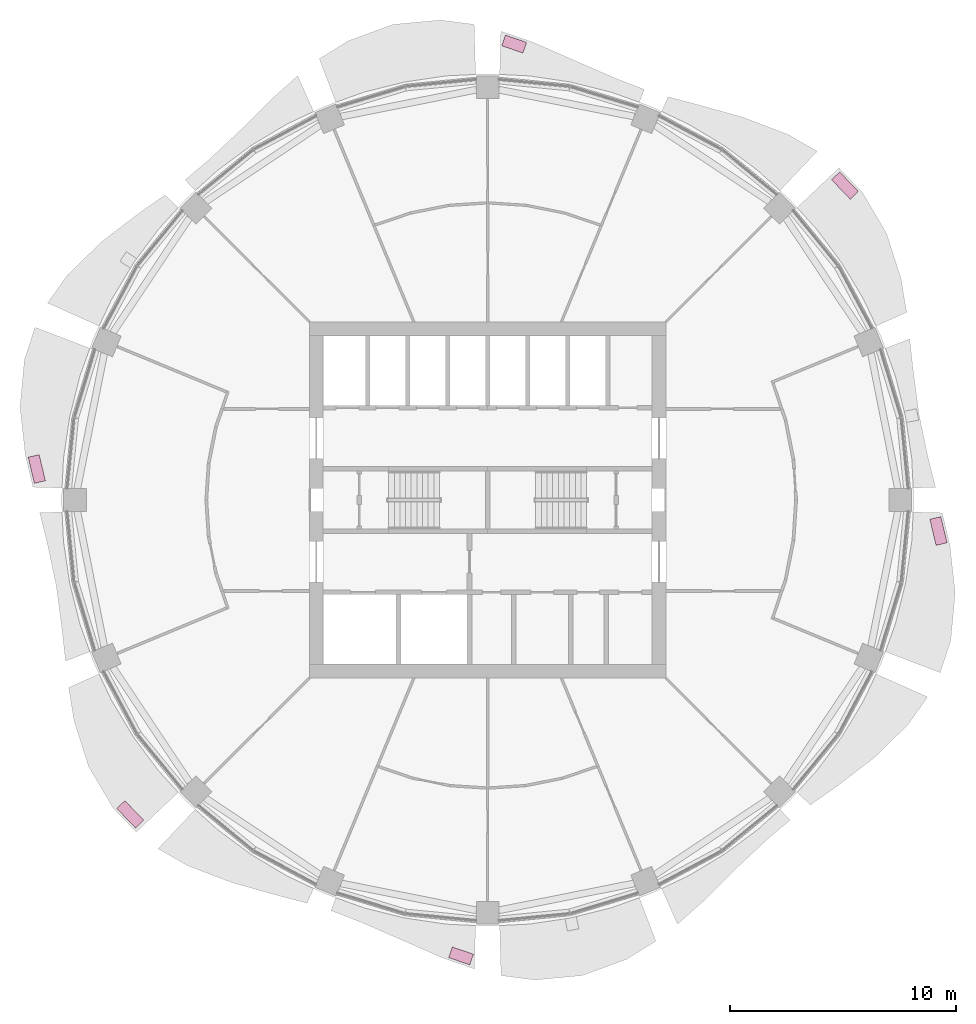
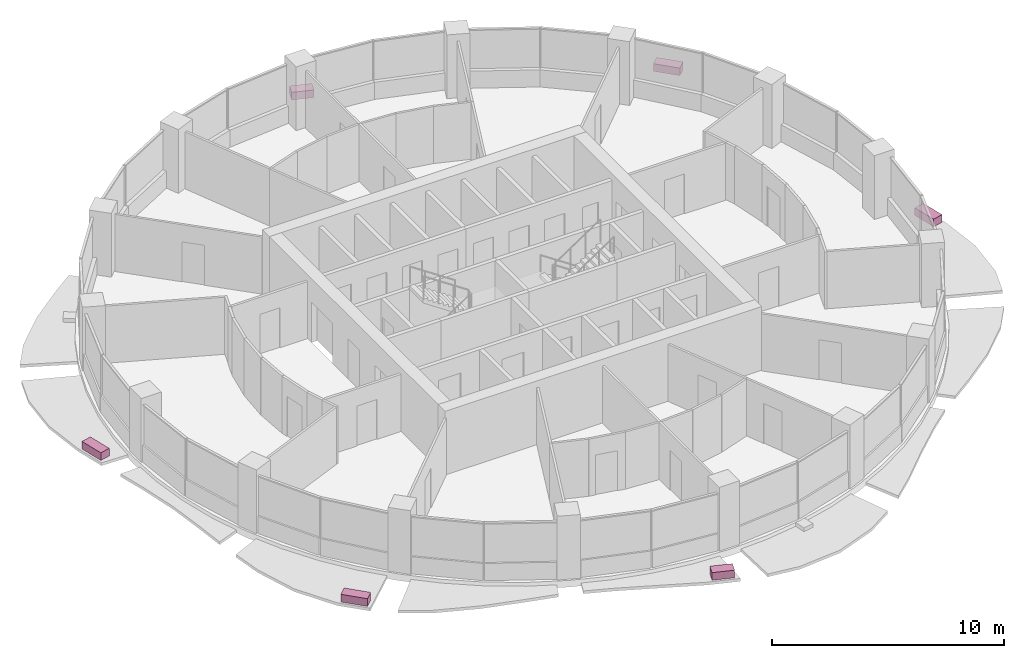
# One storey, part 15 of 15: 6 furniture elements.
"""IFC4 building model written with IfcOpenShell, lengths in metres."""

from ifc_helpers import new_model, si_unit, direction, frame, origin, origin_2d, place, context, subcontext, project, spatial, rectangle, extrude, material, type_object, element, save


model = new_model("IFC4")

# Units and contexts
model_context = context("Model", 3, precision=1e-05, world=origin(), true_north=direction((0.0, 1.0)))
body_context = subcontext(model_context, "Body", "Model", "MODEL_VIEW")
ifc_project = project(units=[si_unit("LENGTHUNIT", "METRE"), si_unit("AREAUNIT", "SQUARE_METRE"), si_unit("VOLUMEUNIT", "CUBIC_METRE"), si_unit("PLANEANGLEUNIT", "RADIAN"), si_unit("MASSUNIT", "GRAM", prefix="KILO")], contexts=[model_context])

# Site, building, storey
site_placement = place(None, origin())
site = spatial("IfcSite", under=ifc_project, at=site_placement, CompositionType="ELEMENT")
building_placement = place(site_placement, origin())
building = spatial("IfcBuilding", under=site, at=building_placement, Name="Polderwave Tower", CompositionType="ELEMENT")
storey_placement = place(building_placement, frame((0.0, 0.0, 154.449951171875)))
storey = spatial("IfcBuildingStorey", under=building, at=storey_placement, Name="L41", CompositionType="ELEMENT", Elevation=154.449951171875)

# Furniture
ifc_material = material(Name="Terracotta", Category="masonry")
furniture_type = type_object("IfcFurnitureType", Name="Terracotta planting trough", AssemblyPlace="NOTDEFINED", PredefinedType="USERDEFINED", material=ifc_material)
furniture_1_placement = place(storey_placement, frame((15.79052734375, 13.889892578125, -0.199951171875), z_axis=(0.0, 0.0, 1.0), x_axis=(-0.692605345141, 0.721316737558, 0.0)))
element("IfcFurniture", 1, at=furniture_1_placement, inside=storey, type_object=furniture_type, Name="Planting trough L41 2", ObjectType="PLANTER", PredefinedType="USERDEFINED", context=body_context, shape_type="SweptSolid", body=[
    extrude(rectangle(XDim=1.1982421875, YDim=0.5, at=origin_2d()), origin(), (0.0, 0.0, 1.0), 0.39990234375),
])
furniture_2_placement = place(storey_placement, frame((1.17431640625, 20.143798828125, -0.199951171875), z_axis=(0.0, 0.0, 1.0), x_axis=(-0.945432740997, 0.325817329573, 0.0)))
element("IfcFurniture", 2, at=furniture_2_placement, inside=storey, type_object=furniture_type, Name="Planting trough L41 4", ObjectType="PLANTER", PredefinedType="USERDEFINED", context=body_context, shape_type="SweptSolid", body=[
    extrude(rectangle(XDim=0.98974609375, YDim=0.5, at=origin_2d()), origin(), (0.0, 0.0, 1.0), 0.39990234375),
])
furniture_3_placement = place(storey_placement, frame((-19.91943359375, 1.3701171875, -0.199951171875), z_axis=(0.0, 0.0, 1.0), x_axis=(0.230204299383, -0.973142322862, 0.0)))
element("IfcFurniture", 3, at=furniture_3_placement, inside=storey, type_object=furniture_type, Name="Planting trough L41 8", ObjectType="PLANTER", PredefinedType="USERDEFINED", context=body_context, shape_type="SweptSolid", body=[
    extrude(rectangle(XDim=1.185791015625, YDim=0.5, at=origin_2d()), origin(), (0.0, 0.0, 1.0), 0.39990234375),
])
furniture_4_placement = place(storey_placement, frame((-15.79052734375, -13.889892578125, -0.199951171875), z_axis=(0.0, 0.0, 1.0), x_axis=(0.692605345141, -0.721316737558, 0.0)))
element("IfcFurniture", 4, at=furniture_4_placement, inside=storey, type_object=furniture_type, Name="Planting trough L41 10", ObjectType="PLANTER", PredefinedType="USERDEFINED", context=body_context, shape_type="SweptSolid", body=[
    extrude(rectangle(XDim=1.1982421875, YDim=0.5, at=origin_2d()), origin(), (0.0, 0.0, 1.0), 0.39990234375),
])
furniture_5_placement = place(storey_placement, frame((-1.17431640625, -20.143798828125, -0.199951171875), z_axis=(0.0, 0.0, 1.0), x_axis=(0.945432740997, -0.325817329573, 0.0)))
element("IfcFurniture", 5, at=furniture_5_placement, inside=storey, type_object=furniture_type, Name="Planting trough L41 12", ObjectType="PLANTER", PredefinedType="USERDEFINED", context=body_context, shape_type="SweptSolid", body=[
    extrude(rectangle(XDim=0.98974609375, YDim=0.5, at=origin_2d()), origin(), (0.0, 0.0, 1.0), 0.39990234375),
])
furniture_6_placement = place(storey_placement, frame((19.91943359375, -1.3701171875, -0.199951171875), z_axis=(0.0, 0.0, 1.0), x_axis=(-0.230204299383, 0.973142322862, 0.0)))
element("IfcFurniture", 6, at=furniture_6_placement, inside=storey, type_object=furniture_type, Name="Planting trough L41 16", ObjectType="PLANTER", PredefinedType="USERDEFINED", context=body_context, shape_type="SweptSolid", body=[
    extrude(rectangle(XDim=1.185791015625, YDim=0.5, at=origin_2d()), origin(), (0.0, 0.0, 1.0), 0.39990234375),
])

save(model, "model.ifc")
